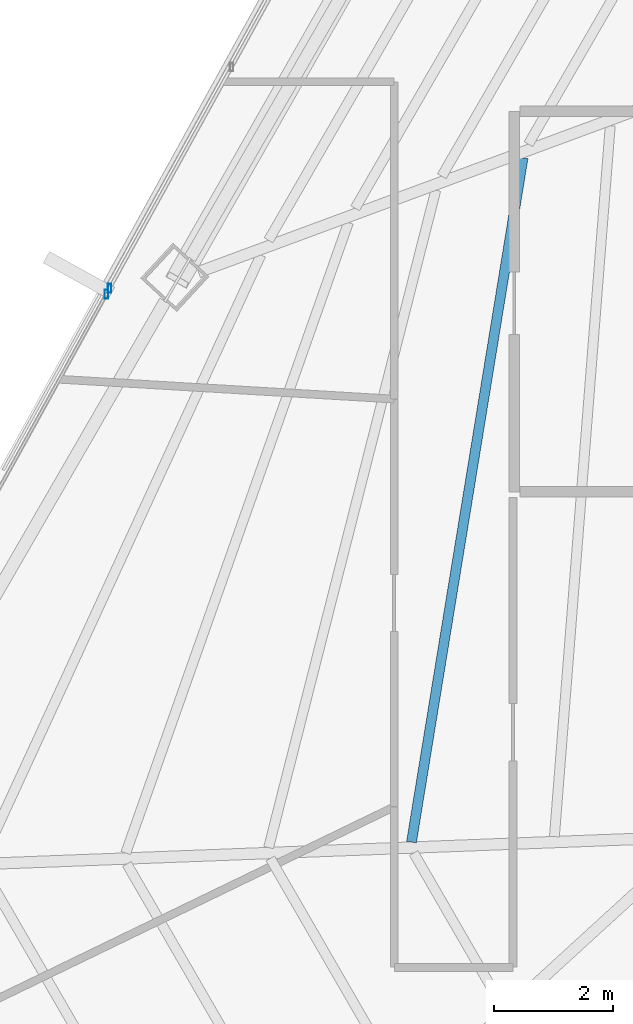
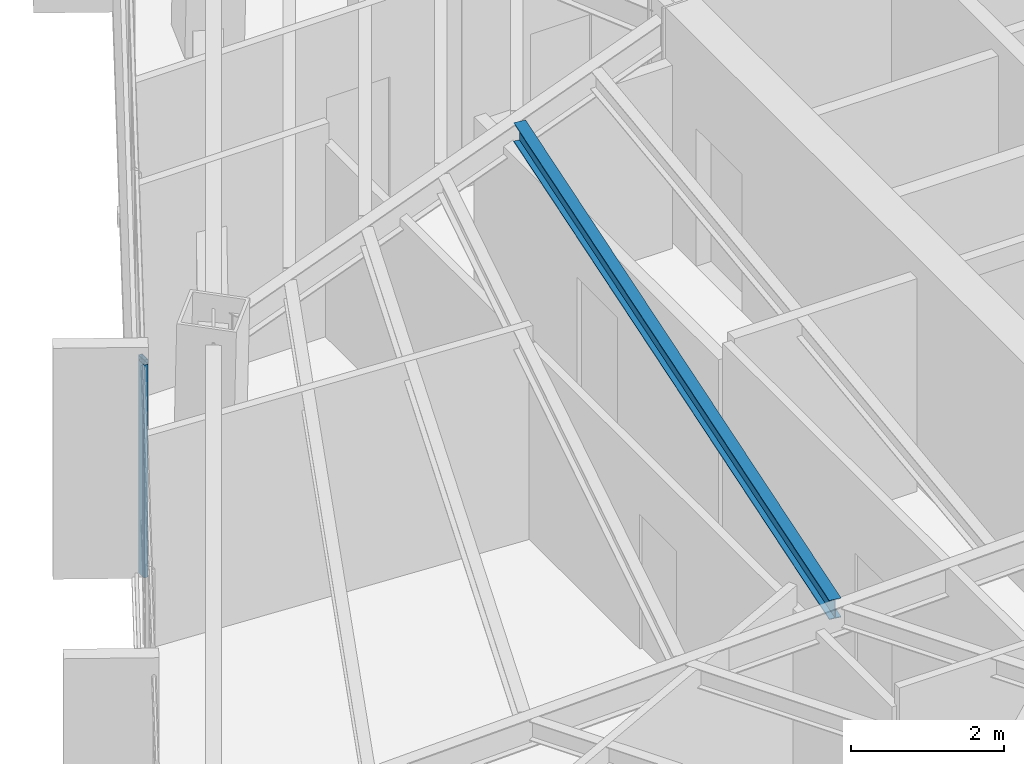
# One storey, part 12 of 40: 2 members, 1 beam, 2 elements without a shape of their own.
"""IFC4 building model written with IfcOpenShell, lengths in metres."""

import ifcopenshell
import ifcopenshell.guid

model = None  # the IFC model being written
_history = None  # IfcOwnerHistory: only IFC2X3 demands one
_inside = {}  # id of a spatial element -> (the spatial element, [elements in it])
_under = {}  # id of a project, library or spatial element -> (it, [spatial elements below it])
_declared = {}  # id of a project -> (the project, [libraries it declares])
_typed = {}  # id of a type object -> (the type object, [elements of that type])
_made_of = {}  # id of a material, layer set ... -> (it, [elements and type objects made of it])


def new_model(schema):
    """Start an empty IFC model of exactly this schema.

    Asked for "IFC4X3", IfcOpenShell would pick the latest addendum, in which some entities
    have other attributes; the version numbers below select the first issue.
    IFC2X3 requires an IfcOwnerHistory on every rooted entity: one is made here for all.
    """
    global model, _history
    if schema == "IFC4X3":
        model = ifcopenshell.file(schema_version=(4, 3, 0, 0))
    else:
        model = ifcopenshell.file(schema=schema)
    _inside.clear()
    _under.clear()
    _declared.clear()
    _typed.clear()
    _made_of.clear()
    _history = None
    if model.schema == "IFC2X3":
        org = make("IfcOrganization", Name="unknown")
        user = make(
            "IfcPersonAndOrganization",
            ThePerson=make("IfcPerson", FamilyName="unknown"),
            TheOrganization=org,
        )
        app = make(
            "IfcApplication",
            ApplicationDeveloper=org,
            Version="unknown",
            ApplicationFullName="unknown",
            ApplicationIdentifier="unknown",
        )
        _history = make(
            "IfcOwnerHistory",
            OwningUser=user,
            OwningApplication=app,
            ChangeAction="ADDED",
            CreationDate=0,
        )
    return model


def make(cls, **values):
    """One entity of the class cls with the attributes given. An attribute that is None is left unset."""
    return model.create_entity(
        cls, **{name: value for name, value in values.items() if value is not None}
    )


def rooted(cls, **values):
    """An entity with a GlobalId (a new one), such as an element, a storey or a relation."""
    return make(cls, GlobalId=ifcopenshell.guid.new(), OwnerHistory=_history, **values)


def si_unit(unit_type, name, prefix=None):
    """IfcSIUnit, for example si_unit("LENGTHUNIT", "METRE", prefix="MILLI")."""
    return make("IfcSIUnit", UnitType=unit_type, Prefix=prefix, Name=name)


def assignment(units):
    """IfcUnitAssignment: the units of a project."""
    return None if units is None else make("IfcUnitAssignment", Units=units)


def point(xyz):
    """IfcCartesianPoint."""
    return None if xyz is None else make("IfcCartesianPoint", Coordinates=xyz)


def direction(xyz):
    """IfcDirection."""
    return None if xyz is None else make("IfcDirection", DirectionRatios=xyz)


def frame(location, z_axis=None, x_axis=None):
    """IfcAxis2Placement3D, a coordinate frame: its origin and axes. An axis left out is left unset."""
    return make(
        "IfcAxis2Placement3D",
        Location=point(location),
        Axis=direction(z_axis),
        RefDirection=direction(x_axis),
    )


def frame_2d(location, x_axis=None):
    """IfcAxis2Placement2D, a coordinate frame in the plane: its origin and x axis."""
    return make(
        "IfcAxis2Placement2D", Location=point(location), RefDirection=direction(x_axis)
    )


def origin():
    """The frame at (0, 0, 0) with its axes left unset."""
    return frame((0.0, 0.0, 0.0))


def origin_2d():
    """The frame at (0, 0) in the plane with its x axis left unset."""
    return frame_2d((0.0, 0.0))


def place(relative_to, where):
    """IfcLocalPlacement: puts the frame where relative to a parent placement (None: the world)."""
    return make(
        "IfcLocalPlacement", PlacementRelTo=relative_to, RelativePlacement=where
    )


def context(
    kind, dimensions, precision=None, world=None, true_north=None, identifier=None
):
    """IfcGeometricRepresentationContext, for example the 3D "Model" context."""
    return make(
        "IfcGeometricRepresentationContext",
        ContextIdentifier=identifier,
        ContextType=kind,
        CoordinateSpaceDimension=dimensions,
        Precision=precision,
        WorldCoordinateSystem=world,
        TrueNorth=true_north,
    )


def subcontext(parent, identifier, kind, view, scale=None):
    """IfcGeometricRepresentationSubContext, for example "Body" below "Model"."""
    return make(
        "IfcGeometricRepresentationSubContext",
        ContextIdentifier=identifier,
        ContextType=kind,
        ParentContext=parent,
        TargetScale=scale,
        TargetView=view,
    )


def project(units=None, contexts=None):
    """IfcProject with its units and contexts."""
    return rooted(
        "IfcProject",
        Name="project",
        RepresentationContexts=contexts,
        UnitsInContext=assignment(units),
    )


def spatial(cls, under=None, at=None, **own):
    """A site, building, storey or space (cls), placed at a placement, below another one or the project."""
    s = rooted(cls, ObjectPlacement=at, **own)
    if under is not None:
        _under.setdefault(under.id(), (under, []))[1].append(s)
    return s


def profile(cls, at=None, kind="AREA", **sizes):
    """A parametric profile (cls). Its sizes go by their IFC names, for example OverallWidth=200.0."""
    return make(cls, ProfileType=kind, Position=at, **sizes)


def hollow_rectangle(**sizes):
    """IfcRectangleHollowProfileDef."""
    return profile("IfcRectangleHollowProfileDef", **sizes)


def i_section(**sizes):
    """IfcIShapeProfileDef."""
    return profile("IfcIShapeProfileDef", **sizes)


def extrude(swept, where, along, depth):
    """IfcExtrudedAreaSolid: the profile swept, set in the frame where, extruded along a direction by depth."""
    return make(
        "IfcExtrudedAreaSolid",
        SweptArea=swept,
        Position=where,
        ExtrudedDirection=direction(along),
        Depth=depth,
    )


def shape(context_of_items, identifier, shape_type, items):
    """IfcShapeRepresentation: the items that make up one representation, for example the "Body"."""
    return make(
        "IfcShapeRepresentation",
        ContextOfItems=context_of_items,
        RepresentationIdentifier=identifier,
        RepresentationType=shape_type,
        Items=items,
    )


def source(mapping_origin, context_of_items, identifier, shape_type, items):
    """IfcRepresentationMap: a shape defined once, which mapped items show again and again."""
    return make(
        "IfcRepresentationMap",
        MappingOrigin=mapping_origin,
        MappedRepresentation=shape(context_of_items, identifier, shape_type, items),
    )


def transform(
    local_origin,
    x_axis=None,
    y_axis=None,
    z_axis=None,
    scale=None,
    scale2=None,
    scale3=None,
    uniform=True,
):
    """IfcCartesianTransformationOperator3D, or its non-uniform kind. x_axis, y_axis, z_axis: its Axis1, 2, 3."""
    if uniform:
        return make(
            "IfcCartesianTransformationOperator3D",
            Axis1=direction(x_axis),
            Axis2=direction(y_axis),
            LocalOrigin=point(local_origin),
            Scale=scale,
            Axis3=direction(z_axis),
        )
    return make(
        "IfcCartesianTransformationOperator3DnonUniform",
        Axis1=direction(x_axis),
        Axis2=direction(y_axis),
        LocalOrigin=point(local_origin),
        Scale=scale,
        Axis3=direction(z_axis),
        Scale2=scale2,
        Scale3=scale3,
    )


def mapped(mapping_source, mapping_target):
    """IfcMappedItem: shows the shape of a source again, moved by a transform."""
    return make(
        "IfcMappedItem", MappingSource=mapping_source, MappingTarget=mapping_target
    )


def material(Name=None, Category=None):
    """IfcMaterial."""
    return make("IfcMaterial", Name=Name, Category=Category)


def material_profile(
    of_material, cross_section, Name=None, Category=None, Priority=None
):
    """IfcMaterialProfile: a cross section and its material."""
    return make(
        "IfcMaterialProfile",
        Name=Name,
        Material=of_material,
        Profile=cross_section,
        Priority=Priority,
        Category=Category,
    )


def profile_set(profiles, Name=None, composite=None):
    """IfcMaterialProfileSet."""
    return make(
        "IfcMaterialProfileSet",
        Name=Name,
        MaterialProfiles=profiles,
        CompositeProfile=composite,
    )


def made_of(thing, what):
    """Note that an element or type object is made of a material, layer set ...; save() writes the relation."""
    if what is not None:
        _made_of.setdefault(what.id(), (what, []))[1].append(thing)
    return thing


def type_object(cls, material=None, **own):
    """A type object (cls), such as IfcWallType, which elements share."""
    return made_of(rooted(cls, **own), material)


def type_shapes(of_type, sources):
    """Give a type object the sources (RepresentationMaps) that its elements show as mapped items."""
    of_type.RepresentationMaps = sources


def element(
    cls,
    number,
    at=None,
    inside=None,
    cuts=None,
    type_object=None,
    material=None,
    context=None,
    identifier="Body",
    shape_type=None,
    held_by="IfcProductDefinitionShape",
    body=None,
    shapes=None,
    **own,
):
    """One element of the class cls, such as IfcWall. Its Tag is "e" and its number.

    at: its placement. inside: the storey or other place that contains it. cuts: it is an
    opening in that element (IfcRelVoidsElement). A single representation is given by context,
    identifier, shape_type and body (its items); several are given by shapes. held_by: the class
    of the entity that holds the representations. save() writes the other relations.
    """
    e = rooted(cls, Tag="e%d" % number, ObjectPlacement=at, **own)
    if body is not None:
        shapes = [shape(context, identifier, shape_type, body)]
    if shapes is not None:
        e.Representation = make(held_by, Representations=shapes)
    if inside is not None:
        _inside.setdefault(inside.id(), (inside, []))[1].append(e)
    if cuts is not None:
        rooted(
            "IfcRelVoidsElement", RelatingBuildingElement=cuts, RelatedOpeningElement=e
        )
    if type_object is not None:
        _typed.setdefault(type_object.id(), (type_object, []))[1].append(e)
    return made_of(e, material)


def aggregate(whole, parts):
    """IfcRelAggregates: a whole, such as a stair, and the parts it consists of."""
    return rooted("IfcRelAggregates", RelatingObject=whole, RelatedObjects=parts)


def save(model, path):
    """Write the relations noted so far, then the file.

    IfcRelAggregates (storeys below a building ...), IfcRelContainedInSpatialStructure (elements
    in a storey), IfcRelDefinesByType, IfcRelAssociatesMaterial and IfcRelDeclares: one each for
    every whole, place, type object, material and project.
    """
    for whole, parts in _under.values():
        aggregate(whole, parts)
    for where, things in _inside.values():
        rooted(
            "IfcRelContainedInSpatialStructure",
            RelatedElements=things,
            RelatingStructure=where,
        )
    for kind, things in _typed.values():
        rooted("IfcRelDefinesByType", RelatedObjects=things, RelatingType=kind)
    for what, things in _made_of.values():
        rooted("IfcRelAssociatesMaterial", RelatedObjects=things, RelatingMaterial=what)
    for by, libraries in _declared.values():
        rooted("IfcRelDeclares", RelatingContext=by, RelatedDefinitions=libraries)
    model.write(path)


model = new_model("IFC4")

# Units and contexts
model_context = context("Model", 3, precision=1e-05, world=origin(), true_north=direction((0.0, 1.0)))
body_context = subcontext(model_context, "Body", "Model", "MODEL_VIEW")
ifc_project = project(units=[si_unit("LENGTHUNIT", "METRE"), si_unit("AREAUNIT", "SQUARE_METRE"), si_unit("VOLUMEUNIT", "CUBIC_METRE"), si_unit("PLANEANGLEUNIT", "RADIAN"), si_unit("MASSUNIT", "GRAM", prefix="KILO")], contexts=[model_context])

# Site, building, storey
site_placement = place(None, origin())
site = spatial("IfcSite", under=ifc_project, at=site_placement, CompositionType="ELEMENT")
building_placement = place(site_placement, origin())
building = spatial("IfcBuilding", under=site, at=building_placement, Name="Caelisora Broadcast Tower", CompositionType="ELEMENT")
storey_placement = place(building_placement, frame((0.0, 0.0, 213.25)))
storey = spatial("IfcBuildingStorey", under=building, at=storey_placement, Name="L56", CompositionType="ELEMENT", Elevation=213.25)

# Beam
ifc_material_1 = material(Name="Steel Grade 350 (AS/NZS 3679.1)", Category="steel")
ifc_material_profile_1 = material_profile(ifc_material_1, i_section(OverallWidth=0.166015625, OverallDepth=0.30712890625, WebThickness=0.006591796875, FlangeThickness=0.01171875, at=origin_2d()), Name="Steel Grade 350 (AS/NZS 3679.1)")
ifc_profile_set_1 = profile_set([ifc_material_profile_1], Name="Steel Grade 350 (AS/NZS 3679.1)")
beam_type = type_object("IfcBeamType", Name="SB03", PredefinedType="JOIST", material=ifc_profile_set_1)
shared_shape_1 = source(origin(), body_context, "Body", "SweptSolid", [
    extrude(i_section(OverallWidth=0.166015625, OverallDepth=0.30712890625, WebThickness=0.006591796875, FlangeThickness=0.01171875, at=origin_2d()), origin(), (0.0, 0.0, 1.0), 11.66015625),
])
type_shapes(beam_type, [shared_shape_1])
beam_placement = place(storey_placement, frame((27.568115234375, 28.81640625, 3.246337890625), z_axis=(-0.1609516751, -0.986962288176, 0.0), x_axis=(0.986962288176, -0.1609516751, 0.0)))
element("IfcBeam", 1, at=beam_placement, inside=storey, type_object=beam_type, Name="L56 beam SB03", PredefinedType="JOIST", context=body_context, shape_type="MappedRepresentation", body=[
    mapped(shared_shape_1, transform((0.0, 0.0, 0.0), scale=1.0)),
])

# Curtain wall, member
ifc_material_2 = material(Name="Unitised Aluminium and Low-E Glass Curtain Wall", Category="glass")
curtain_wall_type_1 = type_object("IfcCurtainWallType", Name="CW-Z4", PredefinedType="NOTDEFINED", material=ifc_material_2)
curtain_wall_1_placement = place(storey_placement, origin())
curtain_wall_1 = element("IfcCurtainWall", 2, at=curtain_wall_1_placement, inside=storey, type_object=curtain_wall_type_1, Name="L56 curtain wall CW-Z4", PredefinedType="NOTDEFINED")
ifc_material_3 = material(Name="Aluminium 6063-T6 Anodised Terracotta Bronze", Category="aluminium")
ifc_material_profile_2 = material_profile(ifc_material_3, hollow_rectangle(XDim=0.06005859375, YDim=0.14990234375, WallThickness=0.00341796875, at=origin_2d()), Name="Aluminium 6063-T6 Anodised Terracotta Bronze")
ifc_profile_set_2 = profile_set([ifc_material_profile_2], Name="Aluminium 6063-T6 Anodised Terracotta Bronze")
member_type = type_object("IfcMemberType", Name="CWM-03", PredefinedType="MULLION", material=ifc_profile_set_2)
shared_shape_2 = source(origin(), body_context, "Body", "SweptSolid", [
    extrude(hollow_rectangle(XDim=0.06005859375, YDim=0.14990234375, WallThickness=0.00341796875, at=origin_2d()), origin(), (0.0, 0.0, 1.0), 3.39990234375),
])
type_shapes(member_type, [shared_shape_2])
member_1_placement = place(storey_placement, frame((20.559814453125, 26.52587890625, 0.0), z_axis=(0.0, 0.0, 1.0), x_axis=(1.0, 0.0, 0.0)))
member_1 = element("IfcMember", 3, at=member_1_placement, type_object=member_type, Name="L56-CW-B09 mullion #3", PredefinedType="MULLION", context=body_context, shape_type="MappedRepresentation", body=[
    mapped(shared_shape_2, transform((0.0, 0.0, 0.0), scale=1.0)),
])
aggregate(curtain_wall_1, [member_1])

ifc_material_4 = material(Name="Unitised Aluminium Insulated Shadow-Box Spandrel Curtain Wall", Category="aluminium")
curtain_wall_type_2 = type_object("IfcCurtainWallType", Name="CW-SP2", PredefinedType="NOTDEFINED", material=ifc_material_4)
curtain_wall_2_placement = place(storey_placement, origin())
curtain_wall_2 = element("IfcCurtainWall", 4, at=curtain_wall_2_placement, inside=storey, type_object=curtain_wall_type_2, Name="L56 curtain wall CW-SP2", PredefinedType="NOTDEFINED")
member_2_placement = place(storey_placement, frame((20.613037109375, 26.622314453125, 0.0), z_axis=(0.0, 0.0, 1.0), x_axis=(1.0, 0.0, 0.0)))
member_2 = element("IfcMember", 5, at=member_2_placement, type_object=member_type, Name="L56-CW-B10 mullion #0", PredefinedType="MULLION", context=body_context, shape_type="MappedRepresentation", body=[
    mapped(shared_shape_2, transform((0.0, 0.0, 0.0), scale=1.0)),
])
aggregate(curtain_wall_2, [member_2])

save(model, "model.ifc")
